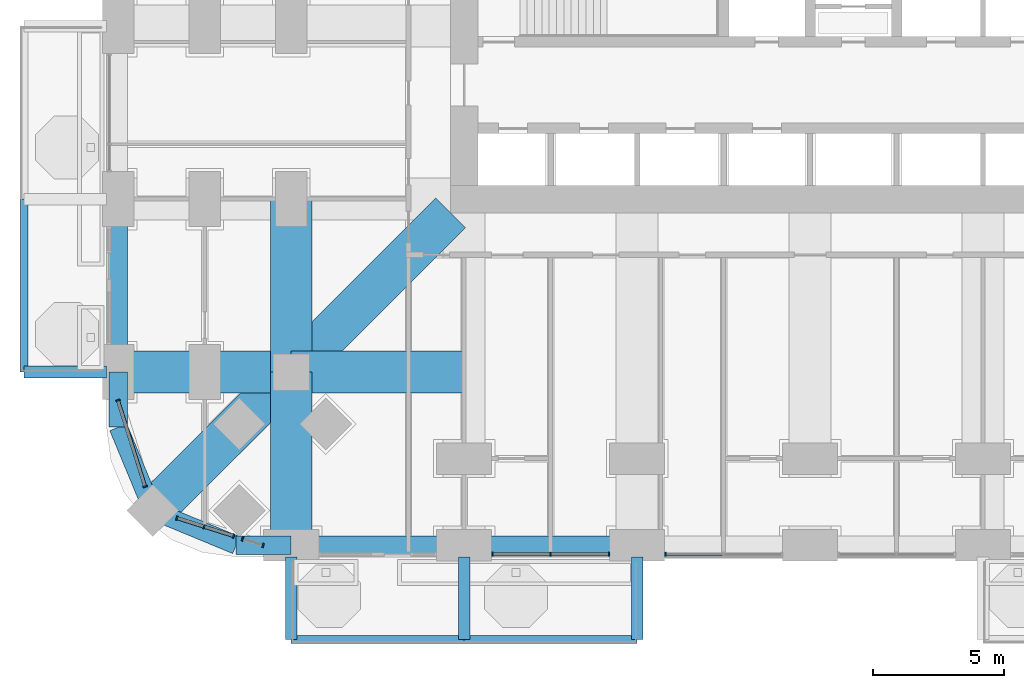
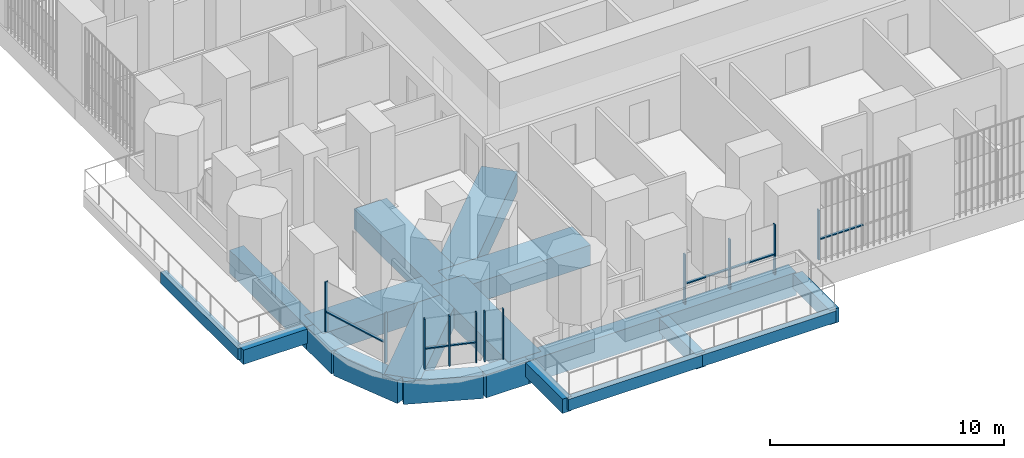
# One storey, part 2 of 27: 20 beams, 17 members, 5 elements without a shape of their own.
"""IFC4 building model written with IfcOpenShell, lengths in metres."""

from ifc_helpers import new_model, si_unit, direction, frame, origin, origin_2d, place, context, subcontext, project, spatial, rectangle, extrude, material, material_profile, profile_set, type_object, element, aggregate, save


model = new_model("IFC4")

# Units and contexts
model_context = context("Model", 3, precision=1e-05, world=origin(), true_north=direction((0.0, 1.0)))
body_context = subcontext(model_context, "Body", "Model", "MODEL_VIEW")
ifc_project = project(units=[si_unit("LENGTHUNIT", "METRE"), si_unit("AREAUNIT", "SQUARE_METRE"), si_unit("VOLUMEUNIT", "CUBIC_METRE"), si_unit("PLANEANGLEUNIT", "RADIAN"), si_unit("MASSUNIT", "GRAM", prefix="KILO")], contexts=[model_context])

# Site, building, storey
site_placement = place(None, origin())
site = spatial("IfcSite", under=ifc_project, at=site_placement, CompositionType="ELEMENT")
building_placement = place(site_placement, origin())
building = spatial("IfcBuilding", under=site, at=building_placement, Name="Cobogo Forest Laboratory Tower", CompositionType="ELEMENT")
storey_placement = place(building_placement, frame((0.0, 0.0, 63.300048828125)))
storey = spatial("IfcBuildingStorey", under=building, at=storey_placement, Name="L14", CompositionType="ELEMENT", Elevation=63.300048828125)

# Beams
ifc_material_1 = material(Name="Concrete HA-40 (C40/50)", Category="concrete")
ifc_material_profile_1 = material_profile(ifc_material_1, rectangle(XDim=0.449951171875, YDim=0.75, at=origin_2d()), Name="RC 450x750")
ifc_profile_set_1 = profile_set([ifc_material_profile_1], Name="Concrete HA-40 (C40/50)")
beam_type_1 = type_object("IfcBeamType", Name="Balcony cantilever beam 450x750", PredefinedType="BEAM", material=ifc_profile_set_1)
for number, where, z_axis, x_axis, name in (
    (1, (6.60009765625, -0.449951171875, -0.625), (0.0, -1.0, 0.0), (1.0, 0.0, 0.0), "CB1 BAL-S1-C1 L14"),
    (2, (13.199951171875, -0.449951171875, -0.625), (0.0, -1.0, 0.0), (1.0, 0.0, 0.0), "CB1 BAL-S1-C2 L14"),
    (3, (19.800048828125, -0.449951171875, -0.625), (0.0, -1.0, 0.0), (1.0, 0.0, 0.0), "CB1 BAL-S1-C3 L14"),
    (4, (-0.449951171875, 6.60009765625, -0.625), (-1.0, 0.0, 0.0), (0.0, -1.0, 0.0), "CB1 BAL-W1-C1 L14"),
):
    element("IfcBeam", number, at=place(storey_placement, frame(where, z_axis=z_axis, x_axis=x_axis)), inside=storey, type_object=beam_type_1, Name=name, PredefinedType="BEAM", context=body_context, shape_type="SweptSolid", body=[
        extrude(rectangle(XDim=0.449951171875, YDim=0.75, at=origin_2d()), origin(), (0.0, 0.0, 1.0), 3.150146484375),
    ])
ifc_material_profile_2 = material_profile(ifc_material_1, rectangle(XDim=0.300048828125, YDim=0.60009765625, at=origin_2d()), Name="RC 300x600")
ifc_profile_set_2 = profile_set([ifc_material_profile_2], Name="Concrete HA-40 (C40/50)")
beam_type_2 = type_object("IfcBeamType", Name="Balcony edge beam 300x600", PredefinedType="BEAM", material=ifc_profile_set_2)
beam_1_placement = place(storey_placement, frame((6.60009765625, -3.60009765625, -0.550048828125), z_axis=(1.0, 0.0, 0.0), x_axis=(0.0, 1.0, 0.0)))
element("IfcBeam", 5, at=beam_1_placement, inside=storey, type_object=beam_type_2, Name="BB1 BAL-S1-T1 L14", PredefinedType="BEAM", context=body_context, shape_type="SweptSolid", body=[
    extrude(rectangle(XDim=0.300048828125, YDim=0.60009765625, at=origin_2d()), origin(), (0.0, 0.0, 1.0), 6.599853515625),
])
beam_2_placement = place(storey_placement, frame((13.199951171875, -3.60009765625, -0.550048828125), z_axis=(1.0, 0.0, 0.0), x_axis=(0.0, 1.0, 0.0)))
element("IfcBeam", 6, at=beam_2_placement, inside=storey, type_object=beam_type_2, Name="BB1 BAL-S1-T2 L14", PredefinedType="BEAM", context=body_context, shape_type="SweptSolid", body=[
    extrude(rectangle(XDim=0.300048828125, YDim=0.60009765625, at=origin_2d()), origin(), (0.0, 0.0, 1.0), 6.60009765625),
])
beam_3_placement = place(storey_placement, frame((-3.60009765625, 6.60009765625, -0.550048828125), z_axis=(0.0, 1.0, 0.0), x_axis=(-1.0, 0.0, 0.0)))
element("IfcBeam", 7, at=beam_3_placement, inside=storey, type_object=beam_type_2, Name="BB1 BAL-W1-T1 L14", PredefinedType="BEAM", context=body_context, shape_type="SweptSolid", body=[
    extrude(rectangle(XDim=0.300048828125, YDim=0.60009765625, at=origin_2d()), origin(), (0.0, 0.0, 1.0), 6.599853515625),
])
ifc_material_2 = material(Name="Concrete HA-50 (C50/60)", Category="concrete")
ifc_material_profile_3 = material_profile(ifc_material_2, rectangle(XDim=1.60009765625, YDim=1.050048828125, at=origin_2d()), Name="RC 1600x1050")
ifc_profile_set_3 = profile_set([ifc_material_profile_3], Name="Concrete HA-50 (C50/60)")
beam_type_3 = type_object("IfcBeamType", Name="Laboratory floor wide beam 1600x1050", PredefinedType="BEAM", material=ifc_profile_set_3)
beam_4_placement = place(storey_placement, frame((6.60009765625, 0.0, -0.824951171875), z_axis=(0.0, 1.0, 0.0), x_axis=(-1.0, 0.0, 0.0)))
element("IfcBeam", 8, at=beam_4_placement, inside=storey, type_object=beam_type_3, Name="RB8 G-SW-XF L14", PredefinedType="BEAM", context=body_context, shape_type="SweptSolid", body=[
    extrude(rectangle(XDim=1.60009765625, YDim=1.050048828125, at=origin_2d()), origin(), (0.0, 0.0, 1.0), 6.60009765625),
])
beam_5_placement = place(storey_placement, frame((6.60009765625, 6.60009765625, -0.824951171875), z_axis=(0.0, 1.0, 0.0), x_axis=(-1.0, 0.0, 0.0)))
element("IfcBeam", 9, at=beam_5_placement, inside=storey, type_object=beam_type_3, Name="RB8 G-SW-XC L14", PredefinedType="BEAM", context=body_context, shape_type="SweptSolid", body=[
    extrude(rectangle(XDim=1.60009765625, YDim=1.050048828125, at=origin_2d()), origin(), (0.0, 0.0, 1.0), 6.599853515625),
])
beam_6_placement = place(storey_placement, frame((0.0, 6.60009765625, -0.824951171875), z_axis=(1.0, 0.0, 0.0), x_axis=(0.0, 1.0, 0.0)))
element("IfcBeam", 10, at=beam_6_placement, inside=storey, type_object=beam_type_3, Name="RB8 G-SW-YF L14", PredefinedType="BEAM", context=body_context, shape_type="SweptSolid", body=[
    extrude(rectangle(XDim=1.60009765625, YDim=1.050048828125, at=origin_2d()), origin(), (0.0, 0.0, 1.0), 6.60009765625),
])
beam_7_placement = place(storey_placement, frame((6.60009765625, 6.60009765625, -0.824951171875), z_axis=(1.0, 0.0, 0.0), x_axis=(0.0, 1.0, 0.0)))
element("IfcBeam", 11, at=beam_7_placement, inside=storey, type_object=beam_type_3, Name="RB8 G-SW-YC L14", PredefinedType="BEAM", context=body_context, shape_type="SweptSolid", body=[
    extrude(rectangle(XDim=1.60009765625, YDim=1.050048828125, at=origin_2d()), origin(), (0.0, 0.0, 1.0), 6.599853515625),
])
beam_8_placement = place(storey_placement, frame((1.318115234375, 1.318115234375, -0.824951171875), z_axis=(0.707106781187, 0.707106781187, 0.0), x_axis=(-0.707106781187, 0.707106781187, 0.0)))
element("IfcBeam", 12, at=beam_8_placement, inside=storey, type_object=beam_type_3, Name="RB8 G-SW-D1 L14", PredefinedType="BEAM", context=body_context, shape_type="SweptSolid", body=[
    extrude(rectangle(XDim=1.60009765625, YDim=1.050048828125, at=origin_2d()), origin(), (0.0, 0.0, 1.0), 7.469970703125),
])
beam_9_placement = place(storey_placement, frame((6.60009765625, 6.60009765625, -0.824951171875), z_axis=(0.707106781187, 0.707106781187, 0.0), x_axis=(-0.707106781187, 0.707106781187, 0.0)))
element("IfcBeam", 13, at=beam_9_placement, inside=storey, type_object=beam_type_3, Name="RB8 G-SW-D2 L14", PredefinedType="BEAM", context=body_context, shape_type="SweptSolid", body=[
    extrude(rectangle(XDim=1.60009765625, YDim=1.050048828125, at=origin_2d()), origin(), (0.0, 0.0, 1.0), 8.59130859375),
])

# Curtain wall, members
ifc_material_3 = material(Name="Aluminium curtain wall", Category="aluminium")
curtain_wall_type = type_object("IfcCurtainWallType", Name="CW-1 unitised curtain wall, clear glazing, laboratory floors zones A and B", PredefinedType="USERDEFINED", material=ifc_material_3)
curtain_wall_1_placement = place(storey_placement, origin())
curtain_wall_1 = element("IfcCurtainWall", 14, at=curtain_wall_1_placement, inside=storey, type_object=curtain_wall_type, Name="Curtain wall 02 L14", ObjectType="UNITISED CURTAIN WALL", PredefinedType="USERDEFINED")
ifc_material_4 = material(Name="Aluminium mullion", Category="aluminium")
ifc_material_profile_4 = material_profile(ifc_material_4, rectangle(XDim=0.06005859375, YDim=0.159912109375, at=origin_2d()), Name="AL 60x160")
ifc_profile_set_4 = profile_set([ifc_material_profile_4], Name="Aluminium mullion")
member_type_1 = type_object("IfcMemberType", Name="MU-1 aluminium mullion 60x160", PredefinedType="MULLION", material=ifc_profile_set_4)
member_1_placement = place(storey_placement, frame((14.280029296875, -0.35009765625, 0.0), z_axis=(0.0, 0.0, 1.0), x_axis=(1.0, 0.0, 0.0)))
member_1 = element("IfcMember", 15, at=member_1_placement, type_object=member_type_1, Name="CW-1 mullion 1", PredefinedType="MULLION", context=body_context, shape_type="SweptSolid", body=[
    extrude(rectangle(XDim=0.06005859375, YDim=0.159912109375, at=origin_2d()), origin(), (0.0, 0.0, 1.0), 2.599853515625),
])
member_2_placement = place(storey_placement, frame((16.5, -0.35009765625, 0.0), z_axis=(0.0, 0.0, 1.0), x_axis=(1.0, 0.0, 0.0)))
member_2 = element("IfcMember", 16, at=member_2_placement, type_object=member_type_1, Name="CW-1 mullion 2", PredefinedType="MULLION", context=body_context, shape_type="SweptSolid", body=[
    extrude(rectangle(XDim=0.06005859375, YDim=0.159912109375, at=origin_2d()), origin(), (0.0, 0.0, 1.0), 2.599853515625),
])
member_3_placement = place(storey_placement, frame((18.719970703125, -0.35009765625, 0.0), z_axis=(0.0, 0.0, 1.0), x_axis=(1.0, 0.0, 0.0)))
member_3 = element("IfcMember", 17, at=member_3_placement, type_object=member_type_1, Name="CW-1 mullion 3", PredefinedType="MULLION", context=body_context, shape_type="SweptSolid", body=[
    extrude(rectangle(XDim=0.06005859375, YDim=0.159912109375, at=origin_2d()), origin(), (0.0, 0.0, 1.0), 2.599853515625),
])

# Curtain wall, member
curtain_wall_2_placement = place(storey_placement, origin())
curtain_wall_2 = element("IfcCurtainWall", 18, at=curtain_wall_2_placement, inside=storey, type_object=curtain_wall_type, Name="Curtain wall 03 L14", ObjectType="UNITISED CURTAIN WALL", PredefinedType="USERDEFINED")
member_4_placement = place(storey_placement, frame((20.8798828125, -0.35009765625, 0.0), z_axis=(0.0, 0.0, 1.0), x_axis=(1.0, 0.0, 0.0)))
member_4 = element("IfcMember", 19, at=member_4_placement, type_object=member_type_1, Name="CW-1 mullion 1", PredefinedType="MULLION", context=body_context, shape_type="SweptSolid", body=[
    extrude(rectangle(XDim=0.06005859375, YDim=0.159912109375, at=origin_2d()), origin(), (0.0, 0.0, 1.0), 2.599853515625),
])

# Curtain wall, members
curtain_wall_3_placement = place(storey_placement, origin())
curtain_wall_3 = element("IfcCurtainWall", 20, at=curtain_wall_3_placement, inside=storey, type_object=curtain_wall_type, Name="Curtain wall 32 L14", ObjectType="UNITISED CURTAIN WALL", PredefinedType="USERDEFINED")
member_5_placement = place(storey_placement, frame((-0.00927734375, 5.521484375, 0.0), z_axis=(0.0, 0.0, 1.0), x_axis=(0.30113535792, -0.95358140513, 0.0)))
member_5 = element("IfcMember", 21, at=member_5_placement, type_object=member_type_1, Name="CW-1 mullion 1", PredefinedType="MULLION", context=body_context, shape_type="SweptSolid", body=[
    extrude(rectangle(XDim=0.06005859375, YDim=0.159912109375, at=origin_2d()), origin(), (0.0, 0.0, 1.0), 2.599853515625),
])
member_6_placement = place(storey_placement, frame((1.02734375, 2.23876953125, 0.0), z_axis=(0.0, 0.0, 1.0), x_axis=(0.30113535792, -0.95358140513, 0.0)))
member_6 = element("IfcMember", 22, at=member_6_placement, type_object=member_type_1, Name="CW-1 mullion 2", PredefinedType="MULLION", context=body_context, shape_type="SweptSolid", body=[
    extrude(rectangle(XDim=0.06005859375, YDim=0.159912109375, at=origin_2d()), origin(), (0.0, 0.0, 1.0), 2.599853515625),
])

curtain_wall_4_placement = place(storey_placement, origin())
curtain_wall_4 = element("IfcCurtainWall", 23, at=curtain_wall_4_placement, inside=storey, type_object=curtain_wall_type, Name="Curtain wall 33 L14", ObjectType="UNITISED CURTAIN WALL", PredefinedType="USERDEFINED")
member_7_placement = place(storey_placement, frame((2.23876953125, 1.02734375, 0.0), z_axis=(0.0, 0.0, 1.0), x_axis=(0.953581409645, -0.301135343623, 0.0)))
member_7 = element("IfcMember", 24, at=member_7_placement, type_object=member_type_1, Name="CW-1 mullion 1", PredefinedType="MULLION", context=body_context, shape_type="SweptSolid", body=[
    extrude(rectangle(XDim=0.06005859375, YDim=0.159912109375, at=origin_2d()), origin(), (0.0, 0.0, 1.0), 2.599853515625),
])
member_8_placement = place(storey_placement, frame((3.27587890625, 0.69970703125, 0.0), z_axis=(0.0, 0.0, 1.0), x_axis=(0.953581409645, -0.301135343623, 0.0)))
member_8 = element("IfcMember", 25, at=member_8_placement, type_object=member_type_1, Name="CW-1 mullion 2", PredefinedType="MULLION", context=body_context, shape_type="SweptSolid", body=[
    extrude(rectangle(XDim=0.06005859375, YDim=0.159912109375, at=origin_2d()), origin(), (0.0, 0.0, 1.0), 2.599853515625),
])
member_9_placement = place(storey_placement, frame((4.39697265625, 0.345703125, 0.0), z_axis=(0.0, 0.0, 1.0), x_axis=(0.953581409645, -0.301135343623, 0.0)))
member_9 = element("IfcMember", 26, at=member_9_placement, type_object=member_type_1, Name="CW-1 mullion 3", PredefinedType="MULLION", context=body_context, shape_type="SweptSolid", body=[
    extrude(rectangle(XDim=0.06005859375, YDim=0.159912109375, at=origin_2d()), origin(), (0.0, 0.0, 1.0), 2.599853515625),
])

curtain_wall_5_placement = place(storey_placement, origin())
curtain_wall_5 = element("IfcCurtainWall", 27, at=curtain_wall_5_placement, inside=storey, type_object=curtain_wall_type, Name="Curtain wall 34 L14", ObjectType="UNITISED CURTAIN WALL", PredefinedType="USERDEFINED")
member_10_placement = place(storey_placement, frame((4.74658203125, 0.2353515625, 0.0), z_axis=(0.0, 0.0, 1.0), x_axis=(0.953581504428, -0.301135043481, 0.0)))
member_10 = element("IfcMember", 28, at=member_10_placement, type_object=member_type_1, Name="CW-1 mullion 1", PredefinedType="MULLION", context=body_context, shape_type="SweptSolid", body=[
    extrude(rectangle(XDim=0.06005859375, YDim=0.159912109375, at=origin_2d()), origin(), (0.0, 0.0, 1.0), 2.599853515625),
])
member_11_placement = place(storey_placement, frame((5.521484375, -0.00927734375, 0.0), z_axis=(0.0, 0.0, 1.0), x_axis=(0.953581504428, -0.301135043481, 0.0)))
member_11 = element("IfcMember", 29, at=member_11_placement, type_object=member_type_1, Name="CW-1 mullion 2", PredefinedType="MULLION", context=body_context, shape_type="SweptSolid", body=[
    extrude(rectangle(XDim=0.06005859375, YDim=0.159912109375, at=origin_2d()), origin(), (0.0, 0.0, 1.0), 2.599853515625),
])
aggregate(curtain_wall_5, [member_10, member_11])

# Beams
ifc_material_profile_5 = material_profile(ifc_material_1, rectangle(XDim=0.699951171875, YDim=1.199951171875, at=origin_2d()), Name="RC 700x1200")
ifc_profile_set_5 = profile_set([ifc_material_profile_5], Name="Concrete HA-40 (C40/50)")
beam_type_4 = type_object("IfcBeamType", Name="Perimeter edge beam 700x1200", PredefinedType="BEAM", material=ifc_profile_set_5)
beam_10_placement = place(storey_placement, frame((6.60009765625, 0.0, -0.900146484375), z_axis=(1.0, 0.0, 0.0), x_axis=(0.0, 1.0, 0.0)))
element("IfcBeam", 30, at=beam_10_placement, inside=storey, type_object=beam_type_4, Name="EB1 E-S1 L14", PredefinedType="BEAM", context=body_context, shape_type="SweptSolid", body=[
    extrude(rectangle(XDim=0.699951171875, YDim=1.199951171875, at=origin_2d()), origin(), (0.0, 0.0, 1.0), 6.599853515625),
])
beam_11_placement = place(storey_placement, frame((13.199951171875, 0.0, -0.900146484375), z_axis=(1.0, 0.0, 0.0), x_axis=(0.0, 1.0, 0.0)))
element("IfcBeam", 31, at=beam_11_placement, inside=storey, type_object=beam_type_4, Name="EB1 E-S2 L14", PredefinedType="BEAM", context=body_context, shape_type="SweptSolid", body=[
    extrude(rectangle(XDim=0.699951171875, YDim=1.199951171875, at=origin_2d()), origin(), (0.0, 0.0, 1.0), 6.60009765625),
])
beam_12_placement = place(storey_placement, frame((0.0, 6.60009765625, -0.900146484375), z_axis=(0.0, 1.0, 0.0), x_axis=(-1.0, 0.0, 0.0)))
element("IfcBeam", 32, at=beam_12_placement, inside=storey, type_object=beam_type_4, Name="EB1 E-W1 L14", PredefinedType="BEAM", context=body_context, shape_type="SweptSolid", body=[
    extrude(rectangle(XDim=0.699951171875, YDim=1.199951171875, at=origin_2d()), origin(), (0.0, 0.0, 1.0), 6.599853515625),
])
beam_13_placement = place(storey_placement, frame((6.60009765625, 0.0, -0.900146484375), z_axis=(-1.0, 0.0, 0.0), x_axis=(0.0, -1.0, 0.0)))
element("IfcBeam", 33, at=beam_13_placement, inside=storey, type_object=beam_type_4, Name="EB1 E-SWS1 L14", PredefinedType="BEAM", context=body_context, shape_type="SweptSolid", body=[
    extrude(rectangle(XDim=0.699951171875, YDim=1.199951171875, at=origin_2d()), origin(), (0.0, 0.0, 1.0), 2.10009765625),
])
beam_14_placement = place(storey_placement, frame((4.5, 0.0, -0.900146484375), z_axis=(-0.923865631356, 0.382716990999, 0.0), x_axis=(-0.382716990999, -0.923865631356, 0.0)))
element("IfcBeam", 34, at=beam_14_placement, inside=storey, type_object=beam_type_4, Name="EB1 E-SWS2 L14", PredefinedType="BEAM", context=body_context, shape_type="SweptSolid", body=[
    extrude(rectangle(XDim=0.699951171875, YDim=1.199951171875, at=origin_2d()), origin(), (0.0, 0.0, 1.0), 3.444091796875),
])
beam_15_placement = place(storey_placement, frame((0.0, 6.60009765625, -0.900146484375), z_axis=(0.0, -1.0, 0.0), x_axis=(1.0, 0.0, 0.0)))
element("IfcBeam", 35, at=beam_15_placement, inside=storey, type_object=beam_type_4, Name="EB1 E-SWW1 L14", PredefinedType="BEAM", context=body_context, shape_type="SweptSolid", body=[
    extrude(rectangle(XDim=0.699951171875, YDim=1.199951171875, at=origin_2d()), origin(), (0.0, 0.0, 1.0), 2.10009765625),
])
beam_16_placement = place(storey_placement, frame((0.0, 4.5, -0.900146484375), z_axis=(0.382716990999, -0.923865631356, 0.0), x_axis=(0.923865631356, 0.382716990999, 0.0)))
element("IfcBeam", 36, at=beam_16_placement, inside=storey, type_object=beam_type_4, Name="EB1 E-SWW2 L14", PredefinedType="BEAM", context=body_context, shape_type="SweptSolid", body=[
    extrude(rectangle(XDim=0.699951171875, YDim=1.199951171875, at=origin_2d()), origin(), (0.0, 0.0, 1.0), 3.444091796875),
])

# Member
ifc_material_5 = material(Name="Aluminium transom", Category="aluminium")
ifc_material_profile_6 = material_profile(ifc_material_5, rectangle(XDim=0.1201171875, YDim=0.06005859375, at=origin_2d()), Name="AL 60x120")
ifc_profile_set_6 = profile_set([ifc_material_profile_6], Name="Aluminium transom")
member_type_2 = type_object("IfcMemberType", Name="TR-1 aluminium transom 60x120", PredefinedType="USERDEFINED", material=ifc_profile_set_6)
member_12_placement = place(storey_placement, frame((14.31005859375, -0.35009765625, 1.050048828125), z_axis=(1.0, 0.0, 0.0), x_axis=(0.0, 1.0, 0.0)))
member_12 = element("IfcMember", 37, at=member_12_placement, type_object=member_type_2, Name="CW-1 transom 1.1", ObjectType="TRANSOM", PredefinedType="USERDEFINED", context=body_context, shape_type="SweptSolid", body=[
    extrude(rectangle(XDim=0.1201171875, YDim=0.06005859375, at=origin_2d()), origin(), (0.0, 0.0, 1.0), 2.159912109375),
])

member_13_placement = place(storey_placement, frame((16.530029296875, -0.35009765625, 1.050048828125), z_axis=(1.0, 0.0, 0.0), x_axis=(0.0, 1.0, 0.0)))
member_13 = element("IfcMember", 38, at=member_13_placement, type_object=member_type_2, Name="CW-1 transom 2.1", ObjectType="TRANSOM", PredefinedType="USERDEFINED", context=body_context, shape_type="SweptSolid", body=[
    extrude(rectangle(XDim=0.1201171875, YDim=0.06005859375, at=origin_2d()), origin(), (0.0, 0.0, 1.0), 2.159912109375),
])

aggregate(curtain_wall_1, [member_1, member_2, member_3, member_12, member_13])

member_14_placement = place(storey_placement, frame((20.909912109375, -0.35009765625, 1.050048828125), z_axis=(1.0, 0.0, 0.0), x_axis=(0.0, 1.0, 0.0)))
member_14 = element("IfcMember", 39, at=member_14_placement, type_object=member_type_2, Name="CW-1 transom 1.1", ObjectType="TRANSOM", PredefinedType="USERDEFINED", context=body_context, shape_type="SweptSolid", body=[
    extrude(rectangle(XDim=0.1201171875, YDim=0.06005859375, at=origin_2d()), origin(), (0.0, 0.0, 1.0), 2.16015625),
])

aggregate(curtain_wall_2, [member_4, member_14])

member_15_placement = place(storey_placement, frame((-0.000244140625, 5.49267578125, 1.050048828125), z_axis=(0.301138276922, -0.953580483322, 0.0), x_axis=(0.953580483322, 0.301138276922, 0.0)))
member_15 = element("IfcMember", 40, at=member_15_placement, type_object=member_type_2, Name="CW-1 transom 1.1", ObjectType="TRANSOM", PredefinedType="USERDEFINED", context=body_context, shape_type="SweptSolid", body=[
    extrude(rectangle(XDim=0.1201171875, YDim=0.06005859375, at=origin_2d()), origin(), (0.0, 0.0, 1.0), 3.38232421875),
])

aggregate(curtain_wall_3, [member_5, member_6, member_15])

member_16_placement = place(storey_placement, frame((2.267333984375, 1.018310546875, 1.050048828125), z_axis=(0.953553938535, -0.301222320394, 0.0), x_axis=(0.301222320394, 0.953553938535, 0.0)))
member_16 = element("IfcMember", 41, at=member_16_placement, type_object=member_type_2, Name="CW-1 transom 1.1", ObjectType="TRANSOM", PredefinedType="USERDEFINED", context=body_context, shape_type="SweptSolid", body=[
    extrude(rectangle(XDim=0.1201171875, YDim=0.06005859375, at=origin_2d()), origin(), (0.0, 0.0, 1.0), 1.02783203125),
])

member_17_placement = place(storey_placement, frame((3.304443359375, 0.690673828125, 1.050048828125), z_axis=(0.953595892327, -0.301089478624, 0.0), x_axis=(0.301089478624, 0.953595892327, 0.0)))
member_17 = element("IfcMember", 42, at=member_17_placement, type_object=member_type_2, Name="CW-1 transom 2.1", ObjectType="TRANSOM", PredefinedType="USERDEFINED", context=body_context, shape_type="SweptSolid", body=[
    extrude(rectangle(XDim=0.1201171875, YDim=0.06005859375, at=origin_2d()), origin(), (0.0, 0.0, 1.0), 1.11572265625),
])

aggregate(curtain_wall_4, [member_7, member_8, member_9, member_16, member_17])

save(model, "model.ifc")
